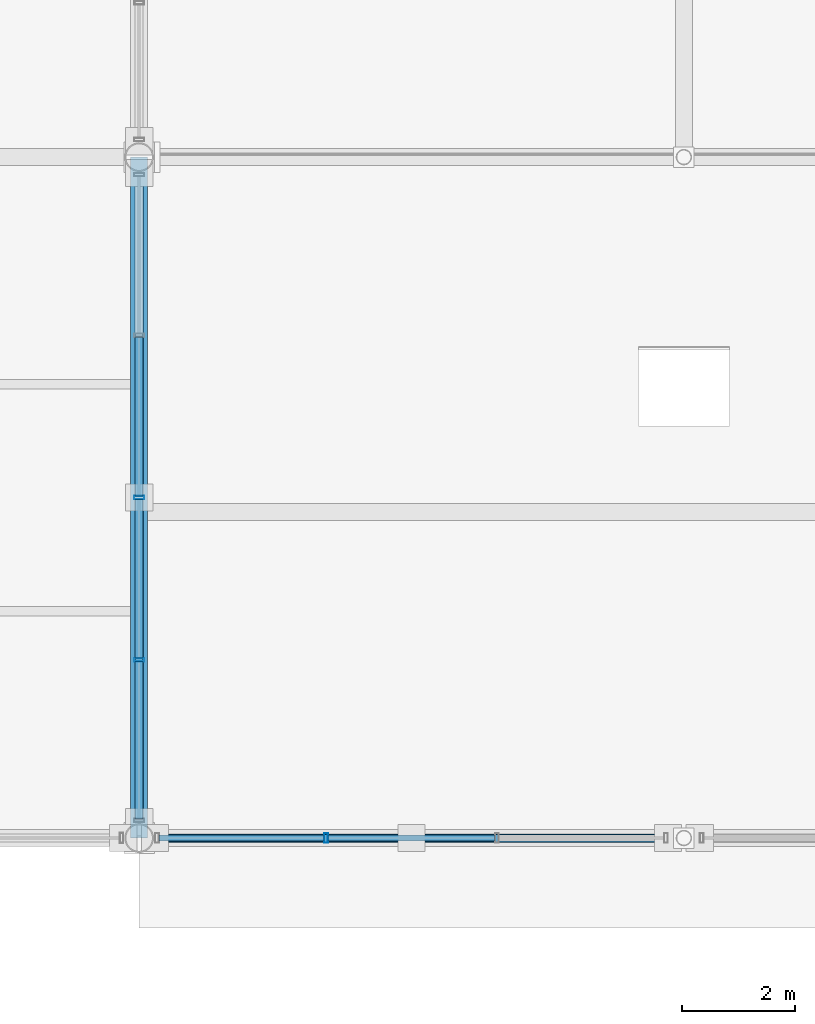
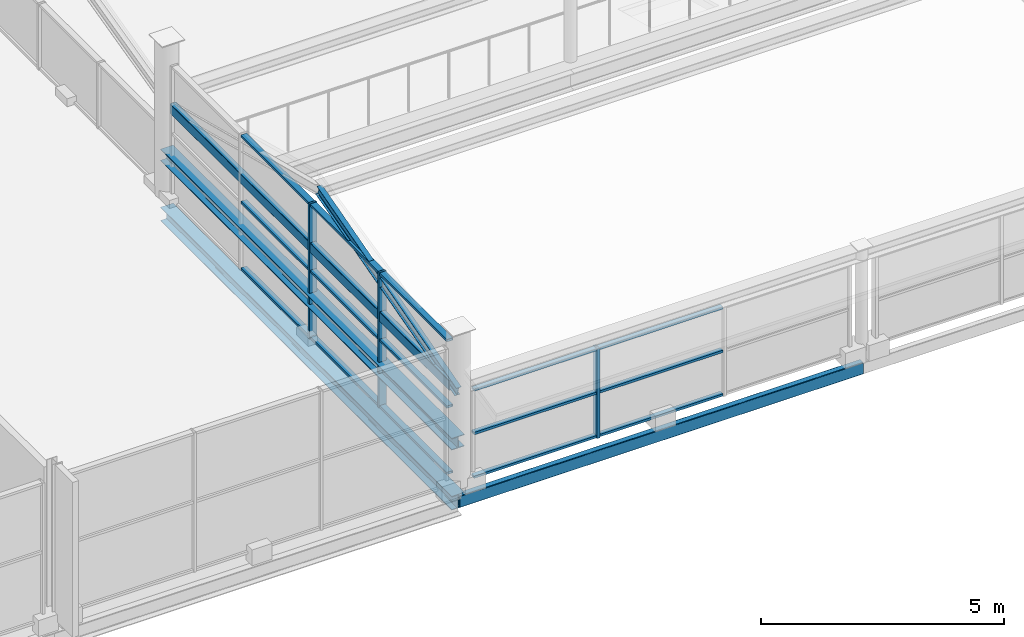
# One storey, part 30 of 117: 19 members, 4 beams, 2 elements without a shape of their own.
"""IFC4 building model written with IfcOpenShell, lengths in metres."""

from ifc_helpers import new_model, si_unit, direction, frame, origin, origin_2d, place, context, subcontext, project, spatial, hollow_rectangle, i_section, extrude, material, material_profile, profile_set, type_object, element, aggregate, save


model = new_model("IFC4")

# Units and contexts
model_context = context("Model", 3, precision=1e-05, world=origin(), true_north=direction((0.0, 1.0)))
body_context = subcontext(model_context, "Body", "Model", "MODEL_VIEW")
ifc_project = project(units=[si_unit("LENGTHUNIT", "METRE"), si_unit("AREAUNIT", "SQUARE_METRE"), si_unit("VOLUMEUNIT", "CUBIC_METRE"), si_unit("PLANEANGLEUNIT", "RADIAN"), si_unit("MASSUNIT", "GRAM", prefix="KILO")], contexts=[model_context])

# Site, building, storey
site_placement = place(None, origin())
site = spatial("IfcSite", under=ifc_project, at=site_placement, CompositionType="ELEMENT")
building_placement = place(site_placement, origin())
building = spatial("IfcBuilding", under=site, at=building_placement, Name="Merenkruunu Market Hall", CompositionType="ELEMENT")
storey_placement = place(building_placement, frame((0.0, 0.0, 10.199951171875)))
storey = spatial("IfcBuildingStorey", under=building, at=storey_placement, Name="L02", CompositionType="ELEMENT", Elevation=10.199951171875)

# Curtain wall, members
ifc_material_1 = material(Name="Powder-coated aluminium", Category="aluminium")
curtain_wall_type_1 = type_object("IfcCurtainWallType", Name="Glazed Curtain Wall CW13", PredefinedType="USERDEFINED", material=ifc_material_1)
curtain_wall_1_placement = place(storey_placement, origin())
curtain_wall_1 = element("IfcCurtainWall", 1, at=curtain_wall_1_placement, inside=storey, type_object=curtain_wall_type_1, Name="CW-L02-CWM02-123", ObjectType="GLAZED_FACADE", PredefinedType="USERDEFINED")
ifc_material_profile_1 = material_profile(ifc_material_1, hollow_rectangle(XDim=0.06005859375, YDim=0.179931640625, WallThickness=0.00390625, at=origin_2d()), Name="ALU 60x180x4")
ifc_profile_set_1 = profile_set([ifc_material_profile_1], Name="Powder-coated aluminium")
member_type_1 = type_object("IfcMemberType", Name="Curtain Wall Mullion CWM02", PredefinedType="MULLION", material=ifc_profile_set_1)
member_1_placement = place(storey_placement, frame((57.60009765625, 18.739990234375, 0.0), z_axis=(0.0, 0.0, 1.0), x_axis=(0.0, 1.0, 0.0)))
member_1 = element("IfcMember", 2, at=member_1_placement, type_object=member_type_1, Name="CW13 mullion 2", PredefinedType="MULLION", context=body_context, shape_type="SweptSolid", body=[
    extrude(hollow_rectangle(XDim=0.06005859375, YDim=0.179931640625, WallThickness=0.00390625, at=origin_2d()), origin(), (0.0, 0.0, 1.0), 3.400146484375),
])
member_2_placement = place(storey_placement, frame((57.60009765625, 21.60009765625, 0.0), z_axis=(0.0, 0.0, 1.0), x_axis=(0.0, 1.0, 0.0)))
member_2 = element("IfcMember", 3, at=member_2_placement, type_object=member_type_1, Name="CW13 mullion 3", PredefinedType="MULLION", context=body_context, shape_type="SweptSolid", body=[
    extrude(hollow_rectangle(XDim=0.06005859375, YDim=0.179931640625, WallThickness=0.00390625, at=origin_2d()), origin(), (0.0, 0.0, 1.0), 3.400146484375),
])

# Curtain wall, member
curtain_wall_type_2 = type_object("IfcCurtainWallType", Name="Glazed Curtain Wall CW16", PredefinedType="USERDEFINED", material=ifc_material_1)
curtain_wall_2_placement = place(storey_placement, origin())
curtain_wall_2 = element("IfcCurtainWall", 4, at=curtain_wall_2_placement, inside=storey, type_object=curtain_wall_type_2, Name="CW-L02-CWM04-141", ObjectType="GLAZED_FACADE", PredefinedType="USERDEFINED")
ifc_material_profile_2 = material_profile(ifc_material_1, hollow_rectangle(XDim=0.070068359375, YDim=0.169921875, WallThickness=0.0048828125, at=origin_2d()), Name="ALU 70x170x5")
ifc_profile_set_2 = profile_set([ifc_material_profile_2], Name="Powder-coated aluminium")
member_type_2 = type_object("IfcMemberType", Name="Curtain Wall Mullion CWM04", PredefinedType="MULLION", material=ifc_profile_set_2)
member_3_placement = place(storey_placement, frame((60.893310546875, 15.60009765625, 0.0), z_axis=(0.0, 0.0, 1.0), x_axis=(-1.0, 0.0, 0.0)))
member_3 = element("IfcMember", 5, at=member_3_placement, type_object=member_type_2, Name="CW16 mullion 3", PredefinedType="MULLION", context=body_context, shape_type="SweptSolid", body=[
    extrude(hollow_rectangle(XDim=0.070068359375, YDim=0.169921875, WallThickness=0.0048828125, at=origin_2d()), origin(), (0.0, 0.0, 1.0), 2.25),
])

# Member
ifc_material_profile_3 = material_profile(ifc_material_1, hollow_rectangle(XDim=0.06005859375, YDim=0.139892578125, WallThickness=0.00390625, at=origin_2d()), Name="ALU 60x140x4")
ifc_profile_set_3 = profile_set([ifc_material_profile_3], Name="Powder-coated aluminium")
member_type_3 = type_object("IfcMemberType", Name="Curtain Wall Transom CWT02", PredefinedType="USERDEFINED", material=ifc_profile_set_3)
member_4_placement = place(storey_placement, frame((57.60009765625, 15.93994140625, 0.030029296875), z_axis=(0.0, 1.0, 0.0), x_axis=(0.0, 0.0, 1.0)))
member_4 = element("IfcMember", 6, at=member_4_placement, type_object=member_type_3, Name="CW13 transom 1.1", ObjectType="TRANSOM", PredefinedType="USERDEFINED", context=body_context, shape_type="SweptSolid", body=[
    extrude(hollow_rectangle(XDim=0.06005859375, YDim=0.139892578125, WallThickness=0.00390625, at=origin_2d()), origin(), (0.0, 0.0, 1.0), 2.77001953125),
])

member_5_placement = place(storey_placement, frame((57.60009765625, 15.93994140625, 1.699951171875), z_axis=(0.0, 1.0, 0.0), x_axis=(0.0, 0.0, 1.0)))
member_5 = element("IfcMember", 7, at=member_5_placement, type_object=member_type_3, Name="CW13 transom 1.2", ObjectType="TRANSOM", PredefinedType="USERDEFINED", context=body_context, shape_type="SweptSolid", body=[
    extrude(hollow_rectangle(XDim=0.06005859375, YDim=0.139892578125, WallThickness=0.00390625, at=origin_2d()), origin(), (0.0, 0.0, 1.0), 2.77001953125),
])

member_6_placement = place(storey_placement, frame((57.60009765625, 15.93994140625, 3.3701171875), z_axis=(0.0, 1.0, 0.0), x_axis=(0.0, 0.0, 1.0)))
member_6 = element("IfcMember", 8, at=member_6_placement, type_object=member_type_3, Name="CW13 transom 1.3", ObjectType="TRANSOM", PredefinedType="USERDEFINED", context=body_context, shape_type="SweptSolid", body=[
    extrude(hollow_rectangle(XDim=0.06005859375, YDim=0.139892578125, WallThickness=0.00390625, at=origin_2d()), origin(), (0.0, 0.0, 1.0), 2.77001953125),
])

member_7_placement = place(storey_placement, frame((57.60009765625, 18.77001953125, 0.030029296875), z_axis=(0.0, 1.0, 0.0), x_axis=(0.0, 0.0, 1.0)))
member_7 = element("IfcMember", 9, at=member_7_placement, type_object=member_type_3, Name="CW13 transom 2.1", ObjectType="TRANSOM", PredefinedType="USERDEFINED", context=body_context, shape_type="SweptSolid", body=[
    extrude(hollow_rectangle(XDim=0.06005859375, YDim=0.139892578125, WallThickness=0.00390625, at=origin_2d()), origin(), (0.0, 0.0, 1.0), 2.800048828125),
])

member_8_placement = place(storey_placement, frame((57.60009765625, 18.77001953125, 1.699951171875), z_axis=(0.0, 1.0, 0.0), x_axis=(0.0, 0.0, 1.0)))
member_8 = element("IfcMember", 10, at=member_8_placement, type_object=member_type_3, Name="CW13 transom 2.2", ObjectType="TRANSOM", PredefinedType="USERDEFINED", context=body_context, shape_type="SweptSolid", body=[
    extrude(hollow_rectangle(XDim=0.06005859375, YDim=0.139892578125, WallThickness=0.00390625, at=origin_2d()), origin(), (0.0, 0.0, 1.0), 2.800048828125),
])

member_9_placement = place(storey_placement, frame((57.60009765625, 18.77001953125, 3.3701171875), z_axis=(0.0, 1.0, 0.0), x_axis=(0.0, 0.0, 1.0)))
member_9 = element("IfcMember", 11, at=member_9_placement, type_object=member_type_3, Name="CW13 transom 2.3", ObjectType="TRANSOM", PredefinedType="USERDEFINED", context=body_context, shape_type="SweptSolid", body=[
    extrude(hollow_rectangle(XDim=0.06005859375, YDim=0.139892578125, WallThickness=0.00390625, at=origin_2d()), origin(), (0.0, 0.0, 1.0), 2.800048828125),
])

member_10_placement = place(storey_placement, frame((57.60009765625, 21.6298828125, 0.030029296875), z_axis=(0.0, 1.0, 0.0), x_axis=(0.0, 0.0, 1.0)))
member_10 = element("IfcMember", 12, at=member_10_placement, type_object=member_type_3, Name="CW13 transom 3.1", ObjectType="TRANSOM", PredefinedType="USERDEFINED", context=body_context, shape_type="SweptSolid", body=[
    extrude(hollow_rectangle(XDim=0.06005859375, YDim=0.139892578125, WallThickness=0.00390625, at=origin_2d()), origin(), (0.0, 0.0, 1.0), 2.800048828125),
])

member_11_placement = place(storey_placement, frame((57.60009765625, 21.6298828125, 1.699951171875), z_axis=(0.0, 1.0, 0.0), x_axis=(0.0, 0.0, 1.0)))
member_11 = element("IfcMember", 13, at=member_11_placement, type_object=member_type_3, Name="CW13 transom 3.2", ObjectType="TRANSOM", PredefinedType="USERDEFINED", context=body_context, shape_type="SweptSolid", body=[
    extrude(hollow_rectangle(XDim=0.06005859375, YDim=0.139892578125, WallThickness=0.00390625, at=origin_2d()), origin(), (0.0, 0.0, 1.0), 2.800048828125),
])

member_12_placement = place(storey_placement, frame((57.60009765625, 21.6298828125, 3.3701171875), z_axis=(0.0, 1.0, 0.0), x_axis=(0.0, 0.0, 1.0)))
member_12 = element("IfcMember", 14, at=member_12_placement, type_object=member_type_3, Name="CW13 transom 3.3", ObjectType="TRANSOM", PredefinedType="USERDEFINED", context=body_context, shape_type="SweptSolid", body=[
    extrude(hollow_rectangle(XDim=0.06005859375, YDim=0.139892578125, WallThickness=0.00390625, at=origin_2d()), origin(), (0.0, 0.0, 1.0), 2.800048828125),
])

aggregate(curtain_wall_1, [member_1, member_2, member_4, member_5, member_6, member_7, member_8, member_9, member_10, member_11, member_12])

ifc_material_profile_4 = material_profile(ifc_material_1, hollow_rectangle(XDim=0.06005859375, YDim=0.110107421875, WallThickness=0.00390625, at=origin_2d()), Name="ALU 60x110x4")
ifc_profile_set_4 = profile_set([ifc_material_profile_4], Name="Powder-coated aluminium")
member_type_4 = type_object("IfcMemberType", Name="Curtain Wall Transom CWT03", PredefinedType="USERDEFINED", material=ifc_profile_set_4)
member_13_placement = place(storey_placement, frame((63.87158203125, 15.60009765625, 0.030029296875), z_axis=(-1.0, 0.0, 0.0), x_axis=(0.0, 0.0, 1.0)))
member_13 = element("IfcMember", 15, at=member_13_placement, type_object=member_type_4, Name="CW16 transom 2.1", ObjectType="TRANSOM", PredefinedType="USERDEFINED", context=body_context, shape_type="SweptSolid", body=[
    extrude(hollow_rectangle(XDim=0.06005859375, YDim=0.110107421875, WallThickness=0.00390625, at=origin_2d()), origin(), (0.0, 0.0, 1.0), 2.943359375),
])

member_14_placement = place(storey_placement, frame((63.87158203125, 15.60009765625, 1.125), z_axis=(-1.0, 0.0, 0.0), x_axis=(0.0, 0.0, 1.0)))
member_14 = element("IfcMember", 16, at=member_14_placement, type_object=member_type_4, Name="CW16 transom 2.2", ObjectType="TRANSOM", PredefinedType="USERDEFINED", context=body_context, shape_type="SweptSolid", body=[
    extrude(hollow_rectangle(XDim=0.06005859375, YDim=0.110107421875, WallThickness=0.00390625, at=origin_2d()), origin(), (0.0, 0.0, 1.0), 2.943359375),
])

member_15_placement = place(storey_placement, frame((63.87158203125, 15.60009765625, 2.219970703125), z_axis=(-1.0, 0.0, 0.0), x_axis=(0.0, 0.0, 1.0)))
member_15 = element("IfcMember", 17, at=member_15_placement, type_object=member_type_4, Name="CW16 transom 2.3", ObjectType="TRANSOM", PredefinedType="USERDEFINED", context=body_context, shape_type="SweptSolid", body=[
    extrude(hollow_rectangle(XDim=0.06005859375, YDim=0.110107421875, WallThickness=0.00390625, at=origin_2d()), origin(), (0.0, 0.0, 1.0), 2.943359375),
])

member_16_placement = place(storey_placement, frame((60.8583984375, 15.60009765625, 0.030029296875), z_axis=(-1.0, 0.0, 0.0), x_axis=(0.0, 0.0, 1.0)))
member_16 = element("IfcMember", 18, at=member_16_placement, type_object=member_type_4, Name="CW16 transom 3.1", ObjectType="TRANSOM", PredefinedType="USERDEFINED", context=body_context, shape_type="SweptSolid", body=[
    extrude(hollow_rectangle(XDim=0.06005859375, YDim=0.110107421875, WallThickness=0.00390625, at=origin_2d()), origin(), (0.0, 0.0, 1.0), 2.908447265625),
])

member_17_placement = place(storey_placement, frame((60.8583984375, 15.60009765625, 1.125), z_axis=(-1.0, 0.0, 0.0), x_axis=(0.0, 0.0, 1.0)))
member_17 = element("IfcMember", 19, at=member_17_placement, type_object=member_type_4, Name="CW16 transom 3.2", ObjectType="TRANSOM", PredefinedType="USERDEFINED", context=body_context, shape_type="SweptSolid", body=[
    extrude(hollow_rectangle(XDim=0.06005859375, YDim=0.110107421875, WallThickness=0.00390625, at=origin_2d()), origin(), (0.0, 0.0, 1.0), 2.908447265625),
])

member_18_placement = place(storey_placement, frame((60.8583984375, 15.60009765625, 2.219970703125), z_axis=(-1.0, 0.0, 0.0), x_axis=(0.0, 0.0, 1.0)))
member_18 = element("IfcMember", 20, at=member_18_placement, type_object=member_type_4, Name="CW16 transom 3.3", ObjectType="TRANSOM", PredefinedType="USERDEFINED", context=body_context, shape_type="SweptSolid", body=[
    extrude(hollow_rectangle(XDim=0.06005859375, YDim=0.110107421875, WallThickness=0.00390625, at=origin_2d()), origin(), (0.0, 0.0, 1.0), 2.908447265625),
])

aggregate(curtain_wall_2, [member_3, member_13, member_14, member_15, member_16, member_17, member_18])

# Beams
ifc_material_2 = material(Name="Steel S355J2", Category="steel")
ifc_material_profile_5 = material_profile(ifc_material_2, hollow_rectangle(XDim=0.14990234375, YDim=0.300048828125, WallThickness=0.012451171875, InnerFilletRadius=0.012451171875, OuterFilletRadius=0.02490234375, at=origin_2d()), Name="RHS 300x150x12.5")
ifc_profile_set_5 = profile_set([ifc_material_profile_5], Name="Steel S355J2")
beam_type_1 = type_object("IfcBeamType", Name="Perimeter Spandrel Beam SP03", PredefinedType="SPANDREL", material=ifc_profile_set_5)
beam_1_placement = place(storey_placement, frame((57.60009765625, 15.60009765625, -0.4599609375), z_axis=(1.0, 0.0, 0.0), x_axis=(0.0, 1.0, 0.0)))
element("IfcBeam", 21, at=beam_1_placement, inside=storey, type_object=beam_type_1, Name="BM-L02-SP03-1261", PredefinedType="SPANDREL", context=body_context, shape_type="SweptSolid", body=[
    extrude(hollow_rectangle(XDim=0.14990234375, YDim=0.300048828125, WallThickness=0.012451171875, InnerFilletRadius=0.012451171875, OuterFilletRadius=0.02490234375, at=origin_2d()), origin(), (0.0, 0.0, 1.0), 9.599853515625),
])
ifc_material_profile_6 = material_profile(ifc_material_2, hollow_rectangle(XDim=0.14990234375, YDim=0.25, WallThickness=0.010009765625, InnerFilletRadius=0.010009765625, OuterFilletRadius=0.02001953125, at=origin_2d()), Name="RHS 250x150x10")
ifc_profile_set_6 = profile_set([ifc_material_profile_6], Name="Steel S355J2")
beam_type_2 = type_object("IfcBeamType", Name="Perimeter Spandrel Beam SP04", PredefinedType="SPANDREL", material=ifc_profile_set_6)
beam_2_placement = place(storey_placement, frame((57.60009765625, 15.85009765625, 2.295166015625), z_axis=(0.0, 1.0, 0.0), x_axis=(-1.0, 0.0, 0.0)))
element("IfcBeam", 22, at=beam_2_placement, inside=storey, type_object=beam_type_2, Name="BM-L02-SP04-1267", PredefinedType="SPANDREL", context=body_context, shape_type="SweptSolid", body=[
    extrude(hollow_rectangle(XDim=0.14990234375, YDim=0.25, WallThickness=0.010009765625, InnerFilletRadius=0.010009765625, OuterFilletRadius=0.02001953125, at=origin_2d()), origin(), (0.0, 0.0, 1.0), 11.5),
])
ifc_material_profile_7 = material_profile(ifc_material_2, i_section(OverallWidth=0.300048828125, OverallDepth=0.300048828125, WebThickness=0.010986328125, FlangeThickness=0.01904296875, FilletRadius=0.027099609375, at=origin_2d()), Name="HEB 300")
ifc_profile_set_7 = profile_set([ifc_material_profile_7], Name="Steel S355J2")
beam_type_3 = type_object("IfcBeamType", Name="Primary Floor Girder B05", PredefinedType="BEAM", material=ifc_profile_set_7)
beam_3_placement = place(storey_placement, frame((57.60009765625, 15.60009765625, 1.0), z_axis=(0.0, 1.0, 0.0), x_axis=(-1.0, 0.0, 0.0)))
element("IfcBeam", 23, at=beam_3_placement, inside=storey, type_object=beam_type_3, Name="BM-L02-B05-1335", PredefinedType="BEAM", context=body_context, shape_type="SweptSolid", body=[
    extrude(i_section(OverallWidth=0.300048828125, OverallDepth=0.300048828125, WebThickness=0.010986328125, FlangeThickness=0.01904296875, FilletRadius=0.027099609375, at=origin_2d()), origin(), (0.0, 0.0, 1.0), 12.0),
])
ifc_material_profile_8 = material_profile(ifc_material_2, i_section(OverallWidth=0.300048828125, OverallDepth=0.35009765625, WebThickness=0.010009765625, FlangeThickness=0.017578125, FilletRadius=0.027099609375, at=origin_2d()), Name="HEA 360")
ifc_profile_set_8 = profile_set([ifc_material_profile_8], Name="Steel S355J2")
beam_type_4 = type_object("IfcBeamType", Name="Primary Floor Girder B08", PredefinedType="BEAM", material=ifc_profile_set_8)
beam_4_placement = place(storey_placement, frame((57.60009765625, 15.60009765625, -0.48486328125), z_axis=(0.0, 1.0, 0.0), x_axis=(-1.0, 0.0, 0.0)))
element("IfcBeam", 24, at=beam_4_placement, inside=storey, type_object=beam_type_4, Name="BM-L02-B08-0784", PredefinedType="BEAM", context=body_context, shape_type="SweptSolid", body=[
    extrude(i_section(OverallWidth=0.300048828125, OverallDepth=0.35009765625, WebThickness=0.010009765625, FlangeThickness=0.017578125, FilletRadius=0.027099609375, at=origin_2d()), origin(), (0.0, 0.0, 1.0), 12.0),
])

# Member
ifc_material_3 = material(Name="Steel S355ML", Category="steel")
ifc_material_profile_9 = material_profile(ifc_material_3, i_section(OverallWidth=0.1201171875, OverallDepth=0.239990234375, WebThickness=0.006103515625, FlangeThickness=0.009765625, FilletRadius=0.014892578125, at=origin_2d()), Name="IPE 240")
ifc_profile_set_9 = profile_set([ifc_material_profile_9], Name="Steel S355ML")
member_type_5 = type_object("IfcMemberType", Name="Roof Purlin Rafter PR02", PredefinedType="PURLIN", material=ifc_profile_set_9)
member_19_placement = place(storey_placement, frame((57.60009765625, 15.60009765625, 2.280029296875), z_axis=(0.0, 0.963319959631, 0.268355464591), x_axis=(-1.0, 0.0, 0.0)))
element("IfcMember", 25, at=member_19_placement, inside=storey, type_object=member_type_5, Name="MEM-V4-SAWR-001", PredefinedType="PURLIN", context=body_context, shape_type="SweptSolid", body=[
    extrude(i_section(OverallWidth=0.1201171875, OverallDepth=0.239990234375, WebThickness=0.006103515625, FlangeThickness=0.009765625, FilletRadius=0.014892578125, at=origin_2d()), origin(), (0.0, 0.0, 1.0), 5.962646484375),
])

save(model, "model.ifc")
